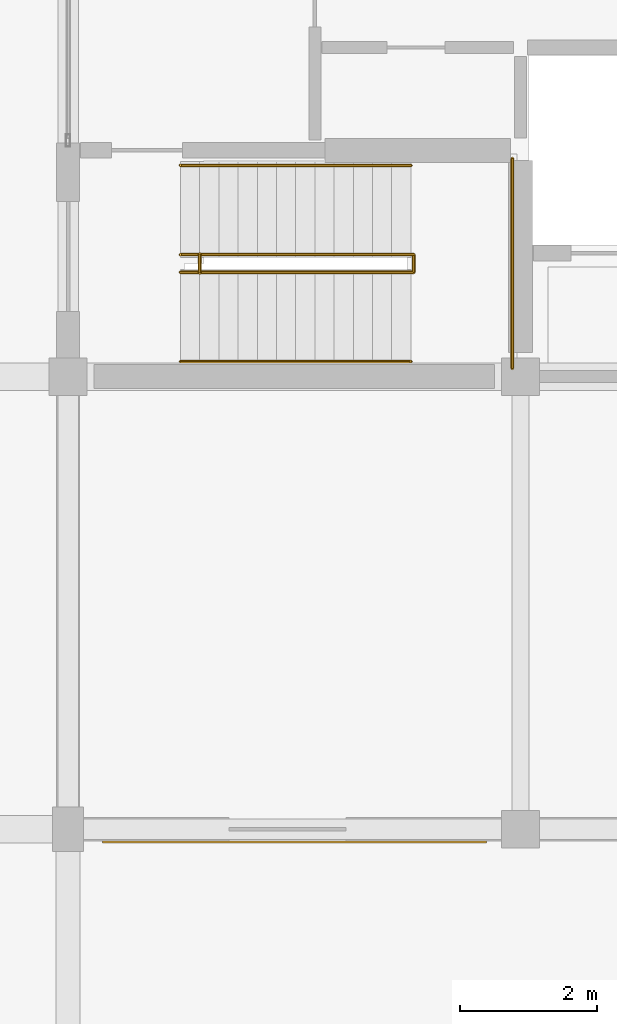
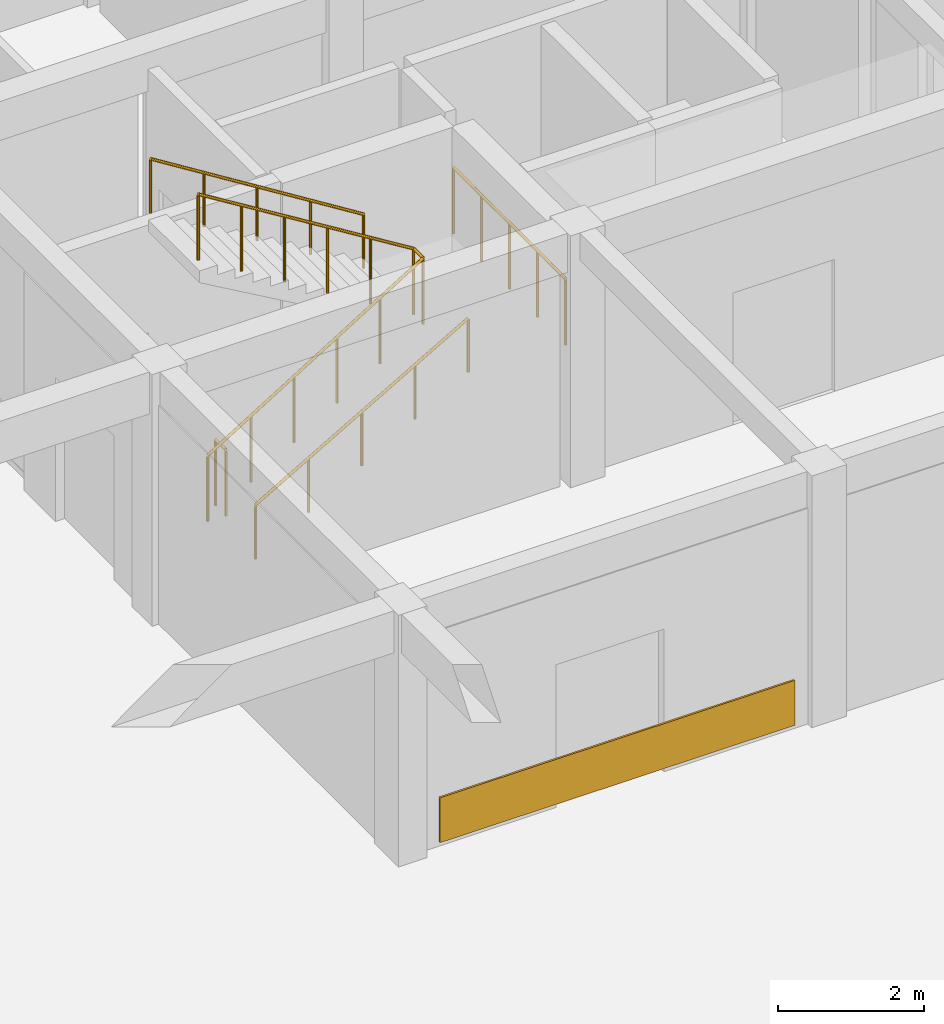
# One storey, part 70 of 75: 5 railings, 1 covering.
"""IFC4 building model written with IfcOpenShell, lengths in metres."""

from ifc_helpers import new_model, si_unit, direction, frame, origin, origin_2d, place, context, subcontext, project, spatial, rectangle, circle, extrude, material, layer, layer_set, type_object, element, save


model = new_model("IFC4")

# Units and contexts
model_context = context("Model", 3, precision=1e-05, world=origin(), true_north=direction((0.0, 1.0)))
body_context = subcontext(model_context, "Body", "Model", "MODEL_VIEW")
ifc_project = project(units=[si_unit("LENGTHUNIT", "METRE"), si_unit("AREAUNIT", "SQUARE_METRE"), si_unit("VOLUMEUNIT", "CUBIC_METRE"), si_unit("PLANEANGLEUNIT", "RADIAN"), si_unit("MASSUNIT", "GRAM", prefix="KILO")], contexts=[model_context])

# Site, building, storey
site_placement = place(None, origin())
site = spatial("IfcSite", under=ifc_project, at=site_placement, CompositionType="ELEMENT")
building_placement = place(site_placement, origin())
building = spatial("IfcBuilding", under=site, at=building_placement, Name="Kernevlak Ridge Housing Community", CompositionType="ELEMENT")
storey_placement = place(building_placement, origin())
storey = spatial("IfcBuildingStorey", under=building, at=storey_placement, Name="L00", CompositionType="ELEMENT", Elevation=0.0)

# Covering
ifc_material_1 = material(Name="Aluminium EN AW-5005 enamelled cladding", Category="aluminium")
ifc_layer = layer(ifc_material_1, 0.030029296875, Name="Aluminium EN AW-5005 enamelled cladding")
ifc_layer_set = layer_set([ifc_layer], Name="Aluminium EN AW-5005 enamelled cladding")
covering_type = type_object("IfcCoveringType", Name="CV-04", PredefinedType="CLADDING", material=ifc_layer_set)
covering_placement = place(storey_placement, frame((122.699951171875, 82.4150390625, 0.074951171875), z_axis=(0.0, 0.0, 1.0), x_axis=(1.0, 0.0, 0.0)))
element("IfcCovering", 1, at=covering_placement, inside=storey, type_object=covering_type, Name="Block B L00 De Stijl blue spandrel cladding", PredefinedType="CLADDING", context=body_context, shape_type="SweptSolid", body=[
    extrude(rectangle(XDim=5.60009765625, YDim=0.030029296875, at=origin_2d()), origin(), (0.0, 0.0, 1.0), 0.75),
])

# Railings
ifc_material_2 = material(Name="Steel S355", Category="steel")
railing_type_1 = type_object("IfcRailingType", Name="GR-02", PredefinedType="GUARDRAIL", material=ifc_material_2)
railing_1_placement = place(storey_placement, frame((121.320068359375, 90.7099609375, 0.0)))
element("IfcRailing", 2, at=railing_1_placement, inside=storey, type_object=railing_type_1, Name="Stair ST-B1 L00 well slot guard", PredefinedType="GUARDRAIL", context=body_context, shape_type="SweptSolid", body=[
    extrude(circle(Radius=0.02392578125, at=origin_2d()), frame((0.0, 0.0, 1.09619140625), z_axis=(0.0, 1.0, 0.0), x_axis=(-1.0, 0.0, 0.0)), (0.0, 0.0, 1.0), 0.280029296875),
    extrude(circle(Radius=0.02099609375, at=origin_2d()), origin(), (0.0, 0.0, 1.0), 1.072021484375),
    extrude(circle(Radius=0.02099609375, at=origin_2d()), frame((0.0, 0.280029296875, 0.0)), (0.0, 0.0, 1.0), 1.072021484375),
])
railing_2_placement = place(storey_placement, frame((121.0400390625, 90.719970703125, 0.0)))
element("IfcRailing", 3, at=railing_2_placement, inside=storey, type_object=railing_type_1, Name="Stair ST-B1 L00 inner well guardrail", PredefinedType="GUARDRAIL", context=body_context, shape_type="SweptSolid", body=[
    extrude(circle(Radius=0.02392578125, at=origin_2d()), frame((0.0, 0.0, 1.09619140625), z_axis=(0.850780323153, 0.0, 0.525521495028), x_axis=(0.0, 1.0, 0.0)), (0.0, 0.0, 1.0), 3.996337890625),
    extrude(circle(Radius=0.02392578125, at=origin_2d()), frame((3.39990234375, 0.0, 3.1962890625), z_axis=(0.0, 1.0, 0.0), x_axis=(-1.0, 0.0, 0.0)), (0.0, 0.0, 1.0), 0.260009765625),
    extrude(circle(Radius=0.02392578125, at=origin_2d()), frame((3.39990234375, 0.260009765625, 3.1962890625), z_axis=(-0.85080763774, 0.0, 0.525477272167), x_axis=(0.0, -1.0, 0.0)), (0.0, 0.0, 1.0), 3.99609375),
    extrude(circle(Radius=0.02099609375, at=origin_2d()), origin(), (0.0, 0.0, 1.0), 1.072021484375),
    extrude(circle(Radius=0.02099609375, at=origin_2d()), frame((0.679931640625, 0.0, 0.419921875)), (0.0, 0.0, 1.0), 1.072021484375),
    extrude(circle(Radius=0.02099609375, at=origin_2d()), frame((1.35986328125, 0.0, 0.840087890625)), (0.0, 0.0, 1.0), 1.072021484375),
    extrude(circle(Radius=0.02099609375, at=origin_2d()), frame((2.0400390625, 0.0, 1.260009765625)), (0.0, 0.0, 1.0), 1.072021484375),
    extrude(circle(Radius=0.02099609375, at=origin_2d()), frame((2.719970703125, 0.0, 1.68017578125)), (0.0, 0.0, 1.0), 1.072021484375),
    extrude(circle(Radius=0.02099609375, at=origin_2d()), frame((3.39990234375, 0.0, 2.10009765625)), (0.0, 0.0, 1.0), 1.072021484375),
    extrude(circle(Radius=0.02099609375, at=origin_2d()), frame((3.39990234375, 0.260009765625, 2.10009765625)), (0.0, 0.0, 1.0), 1.072021484375),
    extrude(circle(Radius=0.02099609375, at=origin_2d()), frame((2.719970703125, 0.260009765625, 2.52001953125)), (0.0, 0.0, 1.0), 1.072021484375),
    extrude(circle(Radius=0.02099609375, at=origin_2d()), frame((2.0400390625, 0.260009765625, 2.93994140625)), (0.0, 0.0, 1.0), 1.072021484375),
    extrude(circle(Radius=0.02099609375, at=origin_2d()), frame((1.35986328125, 0.260009765625, 3.360107421875)), (0.0, 0.0, 1.0), 1.072021484375),
    extrude(circle(Radius=0.02099609375, at=origin_2d()), frame((0.679931640625, 0.260009765625, 3.780029296875)), (0.0, 0.0, 1.0), 1.072021484375),
    extrude(circle(Radius=0.02099609375, at=origin_2d()), frame((0.0, 0.260009765625, 4.199951171875)), (0.0, 0.0, 1.0), 1.072021484375),
])
railing_3_placement = place(storey_placement, frame((125.8798828125, 89.320068359375, 2.10009765625)))
element("IfcRailing", 4, at=railing_3_placement, inside=storey, type_object=railing_type_1, Name="Stair ST-B1 L00 half-landing guard", PredefinedType="GUARDRAIL", context=body_context, shape_type="SweptSolid", body=[
    extrude(circle(Radius=0.02392578125, at=origin_2d()), frame((0.0, 0.0, 1.09619140625), z_axis=(0.0, 1.0, 0.0), x_axis=(-1.0, 0.0, 0.0)), (0.0, 0.0, 1.0), 3.059814453125),
    extrude(circle(Radius=0.02099609375, at=origin_2d()), origin(), (0.0, 0.0, 1.0), 1.072021484375),
    extrude(circle(Radius=0.02099609375, at=origin_2d()), frame((0.0, 0.764892578125, 0.0)), (0.0, 0.0, 1.0), 1.072021484375),
    extrude(circle(Radius=0.02099609375, at=origin_2d()), frame((0.0, 1.52978515625, 0.0)), (0.0, 0.0, 1.0), 1.072021484375),
    extrude(circle(Radius=0.02099609375, at=origin_2d()), frame((0.0, 2.294921875, 0.0)), (0.0, 0.0, 1.0), 1.072021484375),
    extrude(circle(Radius=0.02099609375, at=origin_2d()), frame((0.0, 3.059814453125, 0.0)), (0.0, 0.0, 1.0), 1.072021484375),
])
ifc_material_3 = material(Name="Stainless steel EN 1.4401", Category="steel")
railing_type_2 = type_object("IfcRailingType", Name="HR-01", PredefinedType="HANDRAIL", material=ifc_material_3)
railing_4_placement = place(storey_placement, frame((121.0400390625, 89.419921875, 0.16162109375)))
element("IfcRailing", 5, at=railing_4_placement, inside=storey, type_object=railing_type_2, Name="Stair ST-B1 L00 flight 1 handrail", PredefinedType="HANDRAIL", context=body_context, shape_type="SweptSolid", body=[
    extrude(circle(Radius=0.02392578125, at=origin_2d()), frame((0.0, 0.0, 0.89599609375), z_axis=(0.866175107563, 0.0, 0.499740615757), x_axis=(0.0, 1.0, 0.0)), (0.0, 0.0, 1.0), 3.87890625),
    extrude(circle(Radius=0.02099609375, at=origin_2d()), origin(), (0.0, 0.0, 1.0), 0.871826171875),
    extrude(circle(Radius=0.02099609375, at=origin_2d()), frame((0.83984375, 0.0, 0.484619140625)), (0.0, 0.0, 1.0), 0.871826171875),
    extrude(circle(Radius=0.02099609375, at=origin_2d()), frame((1.679931640625, 0.0, 0.96923828125)), (0.0, 0.0, 1.0), 0.871826171875),
    extrude(circle(Radius=0.02099609375, at=origin_2d()), frame((2.52001953125, 0.0, 1.453857421875)), (0.0, 0.0, 1.0), 0.871826171875),
    extrude(circle(Radius=0.02099609375, at=origin_2d()), frame((3.35986328125, 0.0, 1.9384765625)), (0.0, 0.0, 1.0), 0.871826171875),
])
railing_5_placement = place(storey_placement, frame((124.39990234375, 92.280029296875, 2.10009765625)))
element("IfcRailing", 6, at=railing_5_placement, inside=storey, type_object=railing_type_2, Name="Stair ST-B1 L00 flight 2 handrail", PredefinedType="HANDRAIL", context=body_context, shape_type="SweptSolid", body=[
    extrude(circle(Radius=0.02392578125, at=origin_2d()), frame((0.0, 0.0, 0.89599609375), z_axis=(-0.848005227453, 0.0, 0.529987862325), x_axis=(0.0, -1.0, 0.0)), (0.0, 0.0, 1.0), 3.962158203125),
    extrude(circle(Radius=0.02099609375, at=origin_2d()), origin(), (0.0, 0.0, 1.0), 0.871826171875),
    extrude(circle(Radius=0.02099609375, at=origin_2d()), frame((-0.83984375, 0.0, 0.52490234375)), (0.0, 0.0, 1.0), 0.871826171875),
    extrude(circle(Radius=0.02099609375, at=origin_2d()), frame((-1.679931640625, 0.0, 1.0498046875)), (0.0, 0.0, 1.0), 0.871826171875),
    extrude(circle(Radius=0.02099609375, at=origin_2d()), frame((-2.52001953125, 0.0, 1.574951171875)), (0.0, 0.0, 1.0), 0.871826171875),
    extrude(circle(Radius=0.02099609375, at=origin_2d()), frame((-3.35986328125, 0.0, 2.099853515625)), (0.0, 0.0, 1.0), 0.871826171875),
])

save(model, "model.ifc")
